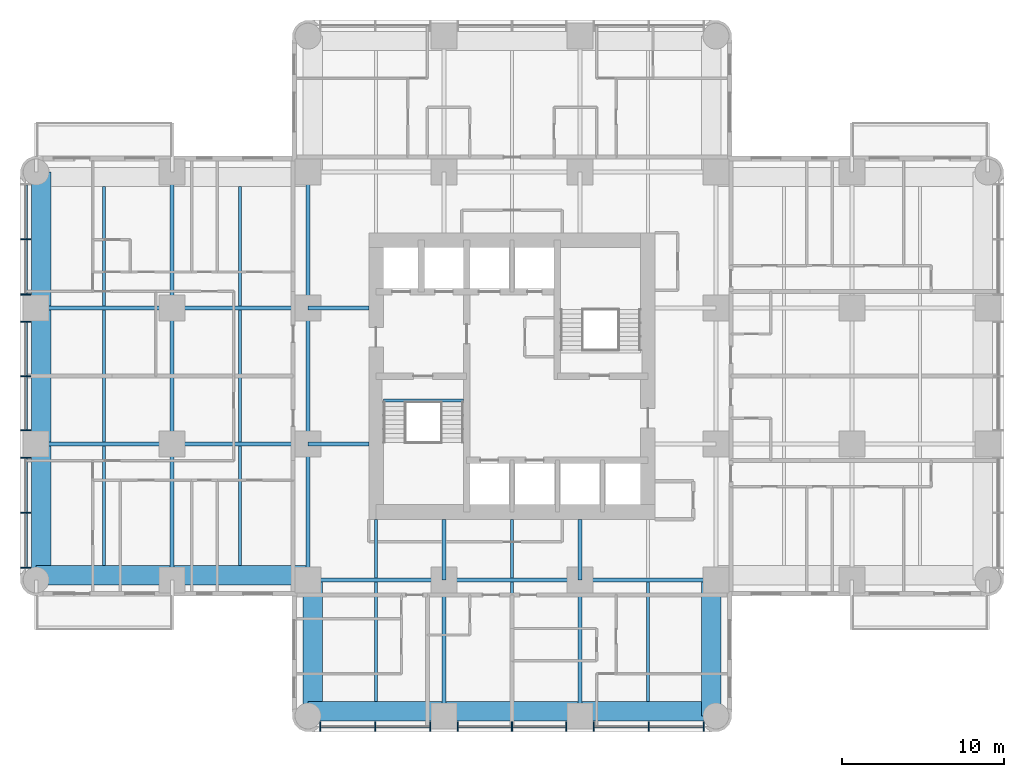
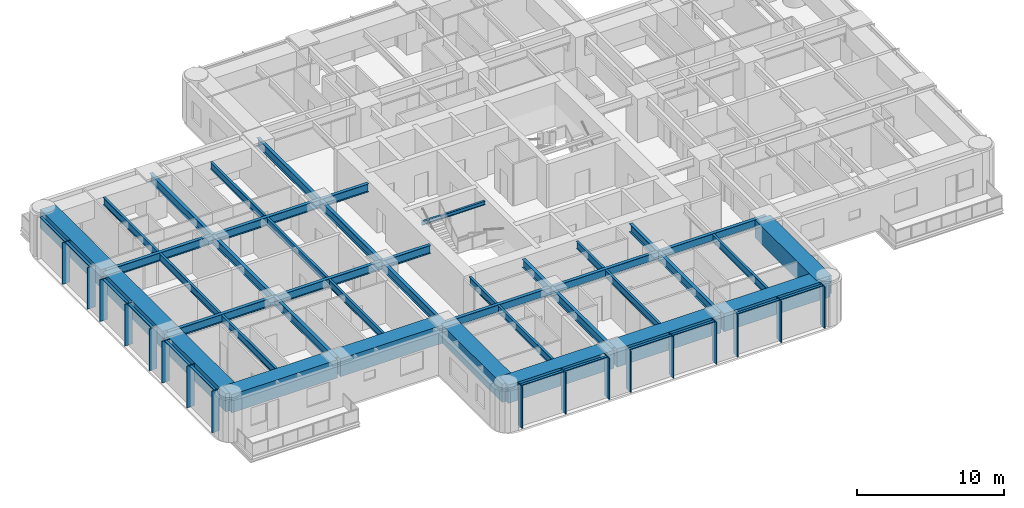
# One storey, part 2 of 14: 41 beams, 29 members, 2 elements without a shape of their own.
"""IFC4 building model written with IfcOpenShell, lengths in metres."""

from ifc_helpers import new_model, si_unit, direction, frame, origin, origin_2d, place, context, subcontext, project, spatial, rectangle, i_section, extrude, material, material_profile, profile_set, type_object, element, aggregate, save


model = new_model("IFC4")

# Units and contexts
model_context = context("Model", 3, precision=1e-05, world=origin(), true_north=direction((0.0, 1.0)))
body_context = subcontext(model_context, "Body", "Model", "MODEL_VIEW")
ifc_project = project(units=[si_unit("LENGTHUNIT", "METRE"), si_unit("AREAUNIT", "SQUARE_METRE"), si_unit("VOLUMEUNIT", "CUBIC_METRE"), si_unit("PLANEANGLEUNIT", "RADIAN"), si_unit("MASSUNIT", "GRAM", prefix="KILO")], contexts=[model_context])

# Site, building, storey
site_placement = place(None, origin())
site = spatial("IfcSite", under=ifc_project, at=site_placement, CompositionType="ELEMENT")
building_placement = place(site_placement, origin())
building = spatial("IfcBuilding", under=site, at=building_placement, Name="Torre Alcanfor", CompositionType="ELEMENT")
storey_placement = place(building_placement, frame((0.0, 0.0, 162.89990234375)))
storey = spatial("IfcBuildingStorey", under=building, at=storey_placement, Name="L42", CompositionType="ELEMENT", Elevation=162.89990234375)

# Curtain wall, members
ifc_material_1 = material(Name="Aluminium and glass", Category="aluminium")
curtain_wall_type = type_object("IfcCurtainWallType", Name="CW-A unitised apartment glazing with vertical FIN", PredefinedType="NOTDEFINED", material=ifc_material_1)
curtain_wall_1_placement = place(storey_placement, origin())
curtain_wall_1 = element("IfcCurtainWall", 1, at=curtain_wall_1_placement, inside=storey, type_object=curtain_wall_type, Name="Curtain wall CW-A L42 2", PredefinedType="NOTDEFINED")
ifc_material_2 = material(Name="Bronze anodised aluminium", Category="aluminium")
ifc_material_profile_1 = material_profile(ifc_material_2, rectangle(XDim=0.60009765625, YDim=0.06494140625, at=origin_2d()), Name="CW-A mullion 65x600")
ifc_profile_set_1 = profile_set([ifc_material_profile_1], Name="Bronze anodised aluminium")
member_type_1 = type_object("IfcMemberType", Name="CW-A mullion with vertical FIN 65x600", PredefinedType="MULLION", material=ifc_profile_set_1)
member_1_placement = place(storey_placement, frame((-0.64990234375, 37.840087890625, 0.0), z_axis=(0.0, 0.0, 1.0), x_axis=(1.0, 0.0, 0.0)))
member_1 = element("IfcMember", 2, at=member_1_placement, type_object=member_type_1, Name="CW-A mullion 1.2", PredefinedType="MULLION", context=body_context, shape_type="SweptSolid", body=[
    extrude(rectangle(XDim=0.60009765625, YDim=0.06494140625, at=origin_2d()), origin(), (0.0, 0.0, 1.0), 3.4501953125),
])
member_2_placement = place(storey_placement, frame((-0.64990234375, 34.4375, 0.0), z_axis=(0.0, 0.0, 1.0), x_axis=(1.0, 0.0, 0.0)))
member_2 = element("IfcMember", 3, at=member_2_placement, type_object=member_type_1, Name="CW-A mullion 1.3", PredefinedType="MULLION", context=body_context, shape_type="SweptSolid", body=[
    extrude(rectangle(XDim=0.60009765625, YDim=0.06494140625, at=origin_2d()), origin(), (0.0, 0.0, 1.0), 3.4501953125),
])
member_3_placement = place(storey_placement, frame((-0.64990234375, 32.762451171875, 0.0), z_axis=(0.0, 0.0, 1.0), x_axis=(1.0, 0.0, 0.0)))
member_3 = element("IfcMember", 4, at=member_3_placement, type_object=member_type_1, Name="CW-A mullion 2.1", PredefinedType="MULLION", context=body_context, shape_type="SweptSolid", body=[
    extrude(rectangle(XDim=0.60009765625, YDim=0.06494140625, at=origin_2d()), origin(), (0.0, 0.0, 1.0), 3.4501953125),
])
member_4_placement = place(storey_placement, frame((-0.64990234375, 29.39990234375, 0.0), z_axis=(0.0, 0.0, 1.0), x_axis=(1.0, 0.0, 0.0)))
member_4 = element("IfcMember", 5, at=member_4_placement, type_object=member_type_1, Name="CW-A mullion 2.2", PredefinedType="MULLION", context=body_context, shape_type="SweptSolid", body=[
    extrude(rectangle(XDim=0.60009765625, YDim=0.06494140625, at=origin_2d()), origin(), (0.0, 0.0, 1.0), 3.4501953125),
])
member_5_placement = place(storey_placement, frame((-0.64990234375, 26.03759765625, 0.0), z_axis=(0.0, 0.0, 1.0), x_axis=(1.0, 0.0, 0.0)))
member_5 = element("IfcMember", 6, at=member_5_placement, type_object=member_type_1, Name="CW-A mullion 2.3", PredefinedType="MULLION", context=body_context, shape_type="SweptSolid", body=[
    extrude(rectangle(XDim=0.60009765625, YDim=0.06494140625, at=origin_2d()), origin(), (0.0, 0.0, 1.0), 3.4501953125),
])
member_6_placement = place(storey_placement, frame((-0.64990234375, 24.362548828125, 0.0), z_axis=(0.0, 0.0, 1.0), x_axis=(1.0, 0.0, 0.0)))
member_6 = element("IfcMember", 7, at=member_6_placement, type_object=member_type_1, Name="CW-A mullion 3.1", PredefinedType="MULLION", context=body_context, shape_type="SweptSolid", body=[
    extrude(rectangle(XDim=0.60009765625, YDim=0.06494140625, at=origin_2d()), origin(), (0.0, 0.0, 1.0), 3.4501953125),
])
member_7_placement = place(storey_placement, frame((-0.64990234375, 20.9599609375, 0.0), z_axis=(0.0, 0.0, 1.0), x_axis=(1.0, 0.0, 0.0)))
member_7 = element("IfcMember", 8, at=member_7_placement, type_object=member_type_1, Name="CW-A mullion 3.2", PredefinedType="MULLION", context=body_context, shape_type="SweptSolid", body=[
    extrude(rectangle(XDim=0.60009765625, YDim=0.06494140625, at=origin_2d()), origin(), (0.0, 0.0, 1.0), 3.4501953125),
])
member_8_placement = place(storey_placement, frame((-0.64990234375, 17.557373046875, 0.0), z_axis=(0.0, 0.0, 1.0), x_axis=(1.0, 0.0, 0.0)))
member_8 = element("IfcMember", 9, at=member_8_placement, type_object=member_type_1, Name="CW-A mullion 3.3", PredefinedType="MULLION", context=body_context, shape_type="SweptSolid", body=[
    extrude(rectangle(XDim=0.60009765625, YDim=0.06494140625, at=origin_2d()), origin(), (0.0, 0.0, 1.0), 3.4501953125),
])

curtain_wall_2_placement = place(storey_placement, origin())
curtain_wall_2 = element("IfcCurtainWall", 10, at=curtain_wall_2_placement, inside=storey, type_object=curtain_wall_type, Name="Curtain wall CW-A L42 5", PredefinedType="NOTDEFINED")
member_9_placement = place(storey_placement, frame((17.557373046875, 7.75, 0.0), z_axis=(0.0, 0.0, 1.0), x_axis=(0.0, 1.0, 0.0)))
member_9 = element("IfcMember", 11, at=member_9_placement, type_object=member_type_1, Name="CW-A mullion 1.1", PredefinedType="MULLION", context=body_context, shape_type="SweptSolid", body=[
    extrude(rectangle(XDim=0.60009765625, YDim=0.06494140625, at=origin_2d()), origin(), (0.0, 0.0, 1.0), 3.4501953125),
])
member_10_placement = place(storey_placement, frame((20.9599609375, 7.75, 0.0), z_axis=(0.0, 0.0, 1.0), x_axis=(0.0, 1.0, 0.0)))
member_10 = element("IfcMember", 12, at=member_10_placement, type_object=member_type_1, Name="CW-A mullion 1.2", PredefinedType="MULLION", context=body_context, shape_type="SweptSolid", body=[
    extrude(rectangle(XDim=0.60009765625, YDim=0.06494140625, at=origin_2d()), origin(), (0.0, 0.0, 1.0), 3.4501953125),
])
member_11_placement = place(storey_placement, frame((24.362548828125, 7.75, 0.0), z_axis=(0.0, 0.0, 1.0), x_axis=(0.0, 1.0, 0.0)))
member_11 = element("IfcMember", 13, at=member_11_placement, type_object=member_type_1, Name="CW-A mullion 1.3", PredefinedType="MULLION", context=body_context, shape_type="SweptSolid", body=[
    extrude(rectangle(XDim=0.60009765625, YDim=0.06494140625, at=origin_2d()), origin(), (0.0, 0.0, 1.0), 3.4501953125),
])
member_12_placement = place(storey_placement, frame((26.03759765625, 7.75, 0.0), z_axis=(0.0, 0.0, 1.0), x_axis=(0.0, 1.0, 0.0)))
member_12 = element("IfcMember", 14, at=member_12_placement, type_object=member_type_1, Name="CW-A mullion 2.1", PredefinedType="MULLION", context=body_context, shape_type="SweptSolid", body=[
    extrude(rectangle(XDim=0.60009765625, YDim=0.06494140625, at=origin_2d()), origin(), (0.0, 0.0, 1.0), 3.4501953125),
])
member_13_placement = place(storey_placement, frame((29.39990234375, 7.75, 0.0), z_axis=(0.0, 0.0, 1.0), x_axis=(0.0, 1.0, 0.0)))
member_13 = element("IfcMember", 15, at=member_13_placement, type_object=member_type_1, Name="CW-A mullion 2.2", PredefinedType="MULLION", context=body_context, shape_type="SweptSolid", body=[
    extrude(rectangle(XDim=0.60009765625, YDim=0.06494140625, at=origin_2d()), origin(), (0.0, 0.0, 1.0), 3.4501953125),
])
member_14_placement = place(storey_placement, frame((32.762451171875, 7.75, 0.0), z_axis=(0.0, 0.0, 1.0), x_axis=(0.0, 1.0, 0.0)))
member_14 = element("IfcMember", 16, at=member_14_placement, type_object=member_type_1, Name="CW-A mullion 2.3", PredefinedType="MULLION", context=body_context, shape_type="SweptSolid", body=[
    extrude(rectangle(XDim=0.60009765625, YDim=0.06494140625, at=origin_2d()), origin(), (0.0, 0.0, 1.0), 3.4501953125),
])
member_15_placement = place(storey_placement, frame((34.4375, 7.75, 0.0), z_axis=(0.0, 0.0, 1.0), x_axis=(0.0, 1.0, 0.0)))
member_15 = element("IfcMember", 17, at=member_15_placement, type_object=member_type_1, Name="CW-A mullion 3.1", PredefinedType="MULLION", context=body_context, shape_type="SweptSolid", body=[
    extrude(rectangle(XDim=0.60009765625, YDim=0.06494140625, at=origin_2d()), origin(), (0.0, 0.0, 1.0), 3.4501953125),
])
member_16_placement = place(storey_placement, frame((37.840087890625, 7.75, 0.0), z_axis=(0.0, 0.0, 1.0), x_axis=(0.0, 1.0, 0.0)))
member_16 = element("IfcMember", 18, at=member_16_placement, type_object=member_type_1, Name="CW-A mullion 3.2", PredefinedType="MULLION", context=body_context, shape_type="SweptSolid", body=[
    extrude(rectangle(XDim=0.60009765625, YDim=0.06494140625, at=origin_2d()), origin(), (0.0, 0.0, 1.0), 3.4501953125),
])
member_17_placement = place(storey_placement, frame((41.24267578125, 7.75, 0.0), z_axis=(0.0, 0.0, 1.0), x_axis=(0.0, 1.0, 0.0)))
member_17 = element("IfcMember", 19, at=member_17_placement, type_object=member_type_1, Name="CW-A mullion 3.3", PredefinedType="MULLION", context=body_context, shape_type="SweptSolid", body=[
    extrude(rectangle(XDim=0.60009765625, YDim=0.06494140625, at=origin_2d()), origin(), (0.0, 0.0, 1.0), 3.4501953125),
])

# Member
ifc_material_3 = material(Name="Extruded aluminium", Category="aluminium")
ifc_material_profile_2 = material_profile(ifc_material_3, rectangle(XDim=0.199951171875, YDim=0.06494140625, at=origin_2d()), Name="CW-A transom 200x65")
ifc_profile_set_2 = profile_set([ifc_material_profile_2], Name="Extruded aluminium")
member_type_2 = type_object("IfcMemberType", Name="CW-A transom 65x200", PredefinedType="USERDEFINED", material=ifc_profile_set_2)
member_18_placement = place(storey_placement, frame((-0.64990234375, 41.210205078125, 3.41748046875), z_axis=(0.0, -1.0, 0.0), x_axis=(1.0, 0.0, 0.0)))
member_18 = element("IfcMember", 20, at=member_18_placement, type_object=member_type_2, Name="CW-A transom 1.1.2", ObjectType="TRANSOM", PredefinedType="USERDEFINED", context=body_context, shape_type="SweptSolid", body=[
    extrude(rectangle(XDim=0.199951171875, YDim=0.06494140625, at=origin_2d()), origin(), (0.0, 0.0, 1.0), 3.337646484375),
])

member_19_placement = place(storey_placement, frame((-0.64990234375, 37.8076171875, 3.41748046875), z_axis=(0.0, -1.0, 0.0), x_axis=(1.0, 0.0, 0.0)))
member_19 = element("IfcMember", 21, at=member_19_placement, type_object=member_type_2, Name="CW-A transom 1.2.2", ObjectType="TRANSOM", PredefinedType="USERDEFINED", context=body_context, shape_type="SweptSolid", body=[
    extrude(rectangle(XDim=0.199951171875, YDim=0.06494140625, at=origin_2d()), origin(), (0.0, 0.0, 1.0), 3.337646484375),
])

member_20_placement = place(storey_placement, frame((-0.64990234375, 32.72998046875, 3.41748046875), z_axis=(0.0, -1.0, 0.0), x_axis=(1.0, 0.0, 0.0)))
member_20 = element("IfcMember", 22, at=member_20_placement, type_object=member_type_2, Name="CW-A transom 2.1.2", ObjectType="TRANSOM", PredefinedType="USERDEFINED", context=body_context, shape_type="SweptSolid", body=[
    extrude(rectangle(XDim=0.199951171875, YDim=0.06494140625, at=origin_2d()), origin(), (0.0, 0.0, 1.0), 3.29736328125),
])

member_21_placement = place(storey_placement, frame((-0.64990234375, 29.367431640625, 3.41748046875), z_axis=(0.0, -1.0, 0.0), x_axis=(1.0, 0.0, 0.0)))
member_21 = element("IfcMember", 23, at=member_21_placement, type_object=member_type_2, Name="CW-A transom 2.2.2", ObjectType="TRANSOM", PredefinedType="USERDEFINED", context=body_context, shape_type="SweptSolid", body=[
    extrude(rectangle(XDim=0.199951171875, YDim=0.06494140625, at=origin_2d()), origin(), (0.0, 0.0, 1.0), 3.29736328125),
])

member_22_placement = place(storey_placement, frame((-0.64990234375, 24.330078125, 3.41748046875), z_axis=(0.0, -1.0, 0.0), x_axis=(1.0, 0.0, 0.0)))
member_22 = element("IfcMember", 24, at=member_22_placement, type_object=member_type_2, Name="CW-A transom 3.1.2", ObjectType="TRANSOM", PredefinedType="USERDEFINED", context=body_context, shape_type="SweptSolid", body=[
    extrude(rectangle(XDim=0.199951171875, YDim=0.06494140625, at=origin_2d()), origin(), (0.0, 0.0, 1.0), 3.337646484375),
])

member_23_placement = place(storey_placement, frame((-0.64990234375, 20.927490234375, 3.41748046875), z_axis=(0.0, -1.0, 0.0), x_axis=(1.0, 0.0, 0.0)))
member_23 = element("IfcMember", 25, at=member_23_placement, type_object=member_type_2, Name="CW-A transom 3.2.2", ObjectType="TRANSOM", PredefinedType="USERDEFINED", context=body_context, shape_type="SweptSolid", body=[
    extrude(rectangle(XDim=0.199951171875, YDim=0.06494140625, at=origin_2d()), origin(), (0.0, 0.0, 1.0), 3.337646484375),
])

aggregate(curtain_wall_1, [member_1, member_2, member_18, member_19, member_3, member_4, member_5, member_20, member_21, member_6, member_7, member_8, member_22, member_23])

member_24_placement = place(storey_placement, frame((17.58984375, 7.75, 3.41748046875), z_axis=(1.0, 0.0, 0.0), x_axis=(0.0, 1.0, 0.0)))
member_24 = element("IfcMember", 26, at=member_24_placement, type_object=member_type_2, Name="CW-A transom 1.1.2", ObjectType="TRANSOM", PredefinedType="USERDEFINED", context=body_context, shape_type="SweptSolid", body=[
    extrude(rectangle(XDim=0.199951171875, YDim=0.06494140625, at=origin_2d()), origin(), (0.0, 0.0, 1.0), 3.337646484375),
])

member_25_placement = place(storey_placement, frame((20.992431640625, 7.75, 3.41748046875), z_axis=(1.0, 0.0, 0.0), x_axis=(0.0, 1.0, 0.0)))
member_25 = element("IfcMember", 27, at=member_25_placement, type_object=member_type_2, Name="CW-A transom 1.2.2", ObjectType="TRANSOM", PredefinedType="USERDEFINED", context=body_context, shape_type="SweptSolid", body=[
    extrude(rectangle(XDim=0.199951171875, YDim=0.06494140625, at=origin_2d()), origin(), (0.0, 0.0, 1.0), 3.337646484375),
])

member_26_placement = place(storey_placement, frame((26.070068359375, 7.75, 3.41748046875), z_axis=(1.0, 0.0, 0.0), x_axis=(0.0, 1.0, 0.0)))
member_26 = element("IfcMember", 28, at=member_26_placement, type_object=member_type_2, Name="CW-A transom 2.1.2", ObjectType="TRANSOM", PredefinedType="USERDEFINED", context=body_context, shape_type="SweptSolid", body=[
    extrude(rectangle(XDim=0.199951171875, YDim=0.06494140625, at=origin_2d()), origin(), (0.0, 0.0, 1.0), 3.29736328125),
])

member_27_placement = place(storey_placement, frame((29.4326171875, 7.75, 3.41748046875), z_axis=(1.0, 0.0, 0.0), x_axis=(0.0, 1.0, 0.0)))
member_27 = element("IfcMember", 29, at=member_27_placement, type_object=member_type_2, Name="CW-A transom 2.2.2", ObjectType="TRANSOM", PredefinedType="USERDEFINED", context=body_context, shape_type="SweptSolid", body=[
    extrude(rectangle(XDim=0.199951171875, YDim=0.06494140625, at=origin_2d()), origin(), (0.0, 0.0, 1.0), 3.29736328125),
])

member_28_placement = place(storey_placement, frame((34.469970703125, 7.75, 3.41748046875), z_axis=(1.0, 0.0, 0.0), x_axis=(0.0, 1.0, 0.0)))
member_28 = element("IfcMember", 30, at=member_28_placement, type_object=member_type_2, Name="CW-A transom 3.1.2", ObjectType="TRANSOM", PredefinedType="USERDEFINED", context=body_context, shape_type="SweptSolid", body=[
    extrude(rectangle(XDim=0.199951171875, YDim=0.06494140625, at=origin_2d()), origin(), (0.0, 0.0, 1.0), 3.337646484375),
])

member_29_placement = place(storey_placement, frame((37.87255859375, 7.75, 3.41748046875), z_axis=(1.0, 0.0, 0.0), x_axis=(0.0, 1.0, 0.0)))
member_29 = element("IfcMember", 31, at=member_29_placement, type_object=member_type_2, Name="CW-A transom 3.2.2", ObjectType="TRANSOM", PredefinedType="USERDEFINED", context=body_context, shape_type="SweptSolid", body=[
    extrude(rectangle(XDim=0.199951171875, YDim=0.06494140625, at=origin_2d()), origin(), (0.0, 0.0, 1.0), 3.337646484375),
])

aggregate(curtain_wall_2, [member_9, member_10, member_11, member_24, member_25, member_12, member_13, member_14, member_26, member_27, member_15, member_16, member_17, member_28, member_29])

# Beams
ifc_material_4 = material(Name="Steel ASTM A992 Grade 50", Category="steel")
ifc_material_profile_3 = material_profile(ifc_material_4, i_section(OverallWidth=0.25390625, OverallDepth=0.683349609375, WebThickness=0.012451171875, FlangeThickness=0.01904296875, at=origin_2d()), Name="W27x94")
ifc_profile_set_3 = profile_set([ifc_material_profile_3], Name="Steel ASTM A992 Grade 50")
beam_type_1 = type_object("IfcBeamType", Name="Girder W27x94", PredefinedType="BEAM", material=ifc_profile_set_3)
beam_1_placement = place(storey_placement, frame((16.800048828125, 16.800048828125, 3.1083984375), z_axis=(1.0, 0.0, 0.0), x_axis=(0.0, 1.0, 0.0)))
element("IfcBeam", 32, at=beam_1_placement, inside=storey, type_object=beam_type_1, Name="Beam 3E-4E under L43", PredefinedType="BEAM", context=body_context, shape_type="SweptSolid", body=[
    extrude(i_section(OverallWidth=0.25390625, OverallDepth=0.683349609375, WebThickness=0.012451171875, FlangeThickness=0.01904296875, at=origin_2d()), origin(), (0.0, 0.0, 1.0), 8.39990234375),
])
beam_2_placement = place(storey_placement, frame((25.199951171875, 16.800048828125, 3.1083984375), z_axis=(1.0, 0.0, 0.0), x_axis=(0.0, 1.0, 0.0)))
element("IfcBeam", 33, at=beam_2_placement, inside=storey, type_object=beam_type_1, Name="Beam 4E-5E under L43", PredefinedType="BEAM", context=body_context, shape_type="SweptSolid", body=[
    extrude(i_section(OverallWidth=0.25390625, OverallDepth=0.683349609375, WebThickness=0.012451171875, FlangeThickness=0.01904296875, at=origin_2d()), origin(), (0.0, 0.0, 1.0), 8.400146484375),
])
for number, where, z_axis, x_axis, name in (
    (34, (33.60009765625, 16.800048828125, 3.1083984375), (1.0, 0.0, 0.0), (0.0, 1.0, 0.0), "Beam 5E-6E under L43"),
    (35, (0.0, 25.199951171875, 3.1083984375), (1.0, 0.0, 0.0), (0.0, 1.0, 0.0), "Beam 1F-2F under L43"),
):
    element("IfcBeam", number, at=place(storey_placement, frame(where, z_axis=z_axis, x_axis=x_axis)), inside=storey, type_object=beam_type_1, Name=name, PredefinedType="BEAM", context=body_context, shape_type="SweptSolid", body=[
        extrude(i_section(OverallWidth=0.25390625, OverallDepth=0.683349609375, WebThickness=0.012451171875, FlangeThickness=0.01904296875, at=origin_2d()), origin(), (0.0, 0.0, 1.0), 8.39990234375),
    ])
beam_3_placement = place(storey_placement, frame((8.39990234375, 25.199951171875, 3.1083984375), z_axis=(1.0, 0.0, 0.0), x_axis=(0.0, 1.0, 0.0)))
element("IfcBeam", 36, at=beam_3_placement, inside=storey, type_object=beam_type_1, Name="Beam 2F-3F under L43", PredefinedType="BEAM", context=body_context, shape_type="SweptSolid", body=[
    extrude(i_section(OverallWidth=0.25390625, OverallDepth=0.683349609375, WebThickness=0.012451171875, FlangeThickness=0.01904296875, at=origin_2d()), origin(), (0.0, 0.0, 1.0), 8.400146484375),
])
beam_4_placement = place(storey_placement, frame((0.0, 33.60009765625, 3.1083984375), z_axis=(1.0, 0.0, 0.0), x_axis=(0.0, 1.0, 0.0)))
element("IfcBeam", 37, at=beam_4_placement, inside=storey, type_object=beam_type_1, Name="Beam 1G-2G under L43", PredefinedType="BEAM", context=body_context, shape_type="SweptSolid", body=[
    extrude(i_section(OverallWidth=0.25390625, OverallDepth=0.683349609375, WebThickness=0.012451171875, FlangeThickness=0.01904296875, at=origin_2d()), origin(), (0.0, 0.0, 1.0), 8.39990234375),
])
beam_5_placement = place(storey_placement, frame((8.39990234375, 33.60009765625, 3.1083984375), z_axis=(1.0, 0.0, 0.0), x_axis=(0.0, 1.0, 0.0)))
element("IfcBeam", 38, at=beam_5_placement, inside=storey, type_object=beam_type_1, Name="Beam 2G-3G under L43", PredefinedType="BEAM", context=body_context, shape_type="SweptSolid", body=[
    extrude(i_section(OverallWidth=0.25390625, OverallDepth=0.683349609375, WebThickness=0.012451171875, FlangeThickness=0.01904296875, at=origin_2d()), origin(), (0.0, 0.0, 1.0), 8.400146484375),
])
beam_6_placement = place(storey_placement, frame((8.39990234375, 16.800048828125, 3.1083984375), z_axis=(0.0, 1.0, 0.0), x_axis=(-1.0, 0.0, 0.0)))
element("IfcBeam", 39, at=beam_6_placement, inside=storey, type_object=beam_type_1, Name="Beam 2E-2F under L43", PredefinedType="BEAM", context=body_context, shape_type="SweptSolid", body=[
    extrude(i_section(OverallWidth=0.25390625, OverallDepth=0.683349609375, WebThickness=0.012451171875, FlangeThickness=0.01904296875, at=origin_2d()), origin(), (0.0, 0.0, 1.0), 8.39990234375),
])
beam_7_placement = place(storey_placement, frame((8.39990234375, 25.199951171875, 3.1083984375), z_axis=(0.0, 1.0, 0.0), x_axis=(-1.0, 0.0, 0.0)))
element("IfcBeam", 40, at=beam_7_placement, inside=storey, type_object=beam_type_1, Name="Beam 2F-2G under L43", PredefinedType="BEAM", context=body_context, shape_type="SweptSolid", body=[
    extrude(i_section(OverallWidth=0.25390625, OverallDepth=0.683349609375, WebThickness=0.012451171875, FlangeThickness=0.01904296875, at=origin_2d()), origin(), (0.0, 0.0, 1.0), 8.400146484375),
])
for number, where, z_axis, x_axis, name in (
    (41, (8.39990234375, 33.60009765625, 3.1083984375), (0.0, 1.0, 0.0), (-1.0, 0.0, 0.0), "Beam 2G-2H under L43"),
    (42, (16.800048828125, 16.800048828125, 3.1083984375), (0.0, 1.0, 0.0), (-1.0, 0.0, 0.0), "Beam 3E-3F under L43"),
):
    element("IfcBeam", number, at=place(storey_placement, frame(where, z_axis=z_axis, x_axis=x_axis)), inside=storey, type_object=beam_type_1, Name=name, PredefinedType="BEAM", context=body_context, shape_type="SweptSolid", body=[
        extrude(i_section(OverallWidth=0.25390625, OverallDepth=0.683349609375, WebThickness=0.012451171875, FlangeThickness=0.01904296875, at=origin_2d()), origin(), (0.0, 0.0, 1.0), 8.39990234375),
    ])
beam_8_placement = place(storey_placement, frame((16.800048828125, 25.199951171875, 3.1083984375), z_axis=(0.0, 1.0, 0.0), x_axis=(-1.0, 0.0, 0.0)))
element("IfcBeam", 43, at=beam_8_placement, inside=storey, type_object=beam_type_1, Name="Beam 3F-3G under L43", PredefinedType="BEAM", context=body_context, shape_type="SweptSolid", body=[
    extrude(i_section(OverallWidth=0.25390625, OverallDepth=0.683349609375, WebThickness=0.012451171875, FlangeThickness=0.01904296875, at=origin_2d()), origin(), (0.0, 0.0, 1.0), 8.400146484375),
])
beam_9_placement = place(storey_placement, frame((16.800048828125, 33.60009765625, 3.1083984375), z_axis=(0.0, 1.0, 0.0), x_axis=(-1.0, 0.0, 0.0)))
element("IfcBeam", 44, at=beam_9_placement, inside=storey, type_object=beam_type_1, Name="Beam 3G-3H under L43", PredefinedType="BEAM", context=body_context, shape_type="SweptSolid", body=[
    extrude(i_section(OverallWidth=0.25390625, OverallDepth=0.683349609375, WebThickness=0.012451171875, FlangeThickness=0.01904296875, at=origin_2d()), origin(), (0.0, 0.0, 1.0), 8.39990234375),
])
for number, where, z_axis, x_axis, name in (
    (45, (25.199951171875, 8.39990234375, 3.1083984375), (0.0, 1.0, 0.0), (-1.0, 0.0, 0.0), "Beam 4D-4E under L43"),
    (46, (33.60009765625, 8.39990234375, 3.1083984375), (0.0, 1.0, 0.0), (-1.0, 0.0, 0.0), "Beam 5D-5E under L43"),
):
    element("IfcBeam", number, at=place(storey_placement, frame(where, z_axis=z_axis, x_axis=x_axis)), inside=storey, type_object=beam_type_1, Name=name, PredefinedType="BEAM", context=body_context, shape_type="SweptSolid", body=[
        extrude(i_section(OverallWidth=0.25390625, OverallDepth=0.683349609375, WebThickness=0.012451171875, FlangeThickness=0.01904296875, at=origin_2d()), origin(), (0.0, 0.0, 1.0), 8.400146484375),
    ])
ifc_material_5 = material(Name="Steel ASTM A992 Grade 50", Category="steel")
ifc_material_profile_4 = material_profile(ifc_material_5, i_section(OverallWidth=0.25390625, OverallDepth=0.683349609375, WebThickness=0.012451171875, FlangeThickness=0.01904296875, at=origin_2d()), Name="W27x94")
ifc_profile_set_4 = profile_set([ifc_material_profile_4], Name="Steel ASTM A992 Grade 50")
beam_type_2 = type_object("IfcBeamType", Name="Girder, part bay W27x94", PredefinedType="BEAM", material=ifc_profile_set_4)
for number, where, z_axis, x_axis, name in (
    (47, (25.199951171875, 16.800048828125, 3.1083984375), (0.0, 1.0, 0.0), (-1.0, 0.0, 0.0), "Beam 4E-420_55 under L43"),
    (48, (33.60009765625, 16.800048828125, 3.1083984375), (0.0, 1.0, 0.0), (-1.0, 0.0, 0.0), "Beam 5E-520_55 under L43"),
    (49, (16.800048828125, 25.199951171875, 3.1083984375), (1.0, 0.0, 0.0), (0.0, 1.0, 0.0), "Beam 3F-20_55F under L43"),
    (50, (16.800048828125, 33.60009765625, 3.1083984375), (1.0, 0.0, 0.0), (0.0, 1.0, 0.0), "Beam 3G-20_55G under L43"),
):
    element("IfcBeam", number, at=place(storey_placement, frame(where, z_axis=z_axis, x_axis=x_axis)), inside=storey, type_object=beam_type_2, Name=name, PredefinedType="BEAM", context=body_context, shape_type="SweptSolid", body=[
        extrude(i_section(OverallWidth=0.25390625, OverallDepth=0.683349609375, WebThickness=0.012451171875, FlangeThickness=0.01904296875, at=origin_2d()), origin(), (0.0, 0.0, 1.0), 3.75),
    ])
ifc_material_6 = material(Name="Concrete f'c 70 MPa", Category="concrete")
ifc_material_profile_5 = material_profile(ifc_material_6, rectangle(XDim=1.199951171875, YDim=1.5, at=origin_2d()), Name="1200x1500")
ifc_profile_set_5 = profile_set([ifc_material_profile_5], Name="Concrete f'c 70 MPa")
beam_type_3 = type_object("IfcBeamType", Name="RC perimeter beam 1200x1500", PredefinedType="BEAM", material=ifc_profile_set_5)
beam_10_placement = place(storey_placement, frame((16.800048828125, 8.699951171875, 2.7001953125), z_axis=(1.0, 0.0, 0.0), x_axis=(0.0, 1.0, 0.0)))
element("IfcBeam", 51, at=beam_10_placement, inside=storey, type_object=beam_type_3, Name="Beam 3D-4D under L43", PredefinedType="BEAM", context=body_context, shape_type="SweptSolid", body=[
    extrude(rectangle(XDim=1.199951171875, YDim=1.5, at=origin_2d()), origin(), (0.0, 0.0, 1.0), 8.27294921875),
])
beam_11_placement = place(storey_placement, frame((25.326904296875, 8.699951171875, 2.7001953125), z_axis=(1.0, 0.0, 0.0), x_axis=(0.0, 1.0, 0.0)))
element("IfcBeam", 52, at=beam_11_placement, inside=storey, type_object=beam_type_3, Name="Beam 4D-5D under L43", PredefinedType="BEAM", context=body_context, shape_type="SweptSolid", body=[
    extrude(rectangle(XDim=1.199951171875, YDim=1.5, at=origin_2d()), origin(), (0.0, 0.0, 1.0), 8.14599609375),
])
for number, where, z_axis, x_axis, name in (
    (53, (33.72705078125, 8.699951171875, 2.7001953125), (1.0, 0.0, 0.0), (0.0, 1.0, 0.0), "Beam 5D-6D under L43"),
    (54, (0.0, 17.10009765625, 2.7001953125), (1.0, 0.0, 0.0), (0.0, 1.0, 0.0), "Beam 1E-2E under L43"),
):
    element("IfcBeam", number, at=place(storey_placement, frame(where, z_axis=z_axis, x_axis=x_axis)), inside=storey, type_object=beam_type_3, Name=name, PredefinedType="BEAM", context=body_context, shape_type="SweptSolid", body=[
        extrude(rectangle(XDim=1.199951171875, YDim=1.5, at=origin_2d()), origin(), (0.0, 0.0, 1.0), 8.27294921875),
    ])
beam_12_placement = place(storey_placement, frame((8.527099609375, 17.10009765625, 2.7001953125), z_axis=(1.0, 0.0, 0.0), x_axis=(0.0, 1.0, 0.0)))
element("IfcBeam", 55, at=beam_12_placement, inside=storey, type_object=beam_type_3, Name="Beam 2E-3E under L43", PredefinedType="BEAM", context=body_context, shape_type="SweptSolid", body=[
    extrude(rectangle(XDim=1.199951171875, YDim=1.5, at=origin_2d()), origin(), (0.0, 0.0, 1.0), 8.39990234375),
])
beam_13_placement = place(storey_placement, frame((0.300048828125, 16.800048828125, 2.7001953125), z_axis=(0.0, 1.0, 0.0), x_axis=(-1.0, 0.0, 0.0)))
element("IfcBeam", 56, at=beam_13_placement, inside=storey, type_object=beam_type_3, Name="Beam 1E-1F under L43", PredefinedType="BEAM", context=body_context, shape_type="SweptSolid", body=[
    extrude(rectangle(XDim=1.199951171875, YDim=1.5, at=origin_2d()), origin(), (0.0, 0.0, 1.0), 8.27294921875),
])
beam_14_placement = place(storey_placement, frame((0.300048828125, 25.326904296875, 2.7001953125), z_axis=(0.0, 1.0, 0.0), x_axis=(-1.0, 0.0, 0.0)))
element("IfcBeam", 57, at=beam_14_placement, inside=storey, type_object=beam_type_3, Name="Beam 1F-1G under L43", PredefinedType="BEAM", context=body_context, shape_type="SweptSolid", body=[
    extrude(rectangle(XDim=1.199951171875, YDim=1.5, at=origin_2d()), origin(), (0.0, 0.0, 1.0), 8.14599609375),
])
beam_15_placement = place(storey_placement, frame((0.300048828125, 33.72705078125, 2.7001953125), z_axis=(0.0, 1.0, 0.0), x_axis=(-1.0, 0.0, 0.0)))
element("IfcBeam", 58, at=beam_15_placement, inside=storey, type_object=beam_type_3, Name="Beam 1G-1H under L43", PredefinedType="BEAM", context=body_context, shape_type="SweptSolid", body=[
    extrude(rectangle(XDim=1.199951171875, YDim=1.5, at=origin_2d()), origin(), (0.0, 0.0, 1.0), 8.27294921875),
])
for number, where, z_axis, x_axis, name in (
    (59, (17.10009765625, 8.39990234375, 2.7001953125), (0.0, 1.0, 0.0), (-1.0, 0.0, 0.0), "Beam 3D-3E under L43"),
    (60, (41.699951171875, 8.39990234375, 2.7001953125), (0.0, 1.0, 0.0), (-1.0, 0.0, 0.0), "Beam 6D-6E under L43"),
):
    element("IfcBeam", number, at=place(storey_placement, frame(where, z_axis=z_axis, x_axis=x_axis)), inside=storey, type_object=beam_type_3, Name=name, PredefinedType="BEAM", context=body_context, shape_type="SweptSolid", body=[
        extrude(rectangle(XDim=1.199951171875, YDim=1.5, at=origin_2d()), origin(), (0.0, 0.0, 1.0), 8.273193359375),
    ])
ifc_material_7 = material(Name="Steel ASTM A992 Grade 50", Category="steel")
ifc_material_profile_6 = material_profile(ifc_material_7, i_section(OverallWidth=0.1787109375, OverallDepth=0.60205078125, WebThickness=0.010986328125, FlangeThickness=0.014892578125, at=origin_2d()), Name="W24x62")
ifc_profile_set_6 = profile_set([ifc_material_profile_6], Name="Steel ASTM A992 Grade 50")
beam_type_4 = type_object("IfcBeamType", Name="Secondary beam W24x62", PredefinedType="BEAM", material=ifc_profile_set_6)
beam_16_placement = place(storey_placement, frame((4.199951171875, 17.699951171875, 3.149169921875), z_axis=(0.0, 1.0, 0.0), x_axis=(-1.0, 0.0, 0.0)))
element("IfcBeam", 61, at=beam_16_placement, inside=storey, type_object=beam_type_4, Name="Beam 4_2E-4_2F under L43", PredefinedType="BEAM", context=body_context, shape_type="SweptSolid", body=[
    extrude(i_section(OverallWidth=0.1787109375, OverallDepth=0.60205078125, WebThickness=0.010986328125, FlangeThickness=0.014892578125, at=origin_2d()), origin(), (0.0, 0.0, 1.0), 7.373046875),
])
beam_17_placement = place(storey_placement, frame((4.199951171875, 25.326904296875, 3.149169921875), z_axis=(0.0, 1.0, 0.0), x_axis=(-1.0, 0.0, 0.0)))
element("IfcBeam", 62, at=beam_17_placement, inside=storey, type_object=beam_type_4, Name="Beam 4_2F-4_2G under L43", PredefinedType="BEAM", context=body_context, shape_type="SweptSolid", body=[
    extrude(i_section(OverallWidth=0.1787109375, OverallDepth=0.60205078125, WebThickness=0.010986328125, FlangeThickness=0.014892578125, at=origin_2d()), origin(), (0.0, 0.0, 1.0), 8.14599609375),
])
for number, where, z_axis, x_axis, name in (
    (63, (4.199951171875, 33.72705078125, 3.149169921875), (0.0, 1.0, 0.0), (-1.0, 0.0, 0.0), "Beam 4_2G-4_2H under L43"),
    (64, (12.60009765625, 17.699951171875, 3.149169921875), (0.0, 1.0, 0.0), (-1.0, 0.0, 0.0), "Beam 12_6E-12_6F under L43"),
):
    element("IfcBeam", number, at=place(storey_placement, frame(where, z_axis=z_axis, x_axis=x_axis)), inside=storey, type_object=beam_type_4, Name=name, PredefinedType="BEAM", context=body_context, shape_type="SweptSolid", body=[
        extrude(i_section(OverallWidth=0.1787109375, OverallDepth=0.60205078125, WebThickness=0.010986328125, FlangeThickness=0.014892578125, at=origin_2d()), origin(), (0.0, 0.0, 1.0), 7.373046875),
    ])
beam_18_placement = place(storey_placement, frame((12.60009765625, 25.326904296875, 3.149169921875), z_axis=(0.0, 1.0, 0.0), x_axis=(-1.0, 0.0, 0.0)))
element("IfcBeam", 65, at=beam_18_placement, inside=storey, type_object=beam_type_4, Name="Beam 12_6F-12_6G under L43", PredefinedType="BEAM", context=body_context, shape_type="SweptSolid", body=[
    extrude(i_section(OverallWidth=0.1787109375, OverallDepth=0.60205078125, WebThickness=0.010986328125, FlangeThickness=0.014892578125, at=origin_2d()), origin(), (0.0, 0.0, 1.0), 8.14599609375),
])
for number, where, z_axis, x_axis, name in (
    (66, (12.60009765625, 33.72705078125, 3.149169921875), (0.0, 1.0, 0.0), (-1.0, 0.0, 0.0), "Beam 12_6G-12_6H under L43"),
    (67, (21.0, 9.300048828125, 3.149169921875), (0.0, 1.0, 0.0), (-1.0, 0.0, 0.0), "Beam 21D-21E under L43"),
    (68, (29.39990234375, 9.300048828125, 3.149169921875), (0.0, 1.0, 0.0), (-1.0, 0.0, 0.0), "Beam 29_4D-29_4E under L43"),
    (69, (37.800048828125, 9.300048828125, 3.149169921875), (0.0, 1.0, 0.0), (-1.0, 0.0, 0.0), "Beam 37_8D-37_8E under L43"),
):
    element("IfcBeam", number, at=place(storey_placement, frame(where, z_axis=z_axis, x_axis=x_axis)), inside=storey, type_object=beam_type_4, Name=name, PredefinedType="BEAM", context=body_context, shape_type="SweptSolid", body=[
        extrude(i_section(OverallWidth=0.1787109375, OverallDepth=0.60205078125, WebThickness=0.010986328125, FlangeThickness=0.014892578125, at=origin_2d()), origin(), (0.0, 0.0, 1.0), 7.373046875),
    ])
ifc_material_8 = material(Name="Steel ASTM A992 Grade 50", Category="steel")
ifc_material_profile_7 = material_profile(ifc_material_8, i_section(OverallWidth=0.1787109375, OverallDepth=0.60205078125, WebThickness=0.010986328125, FlangeThickness=0.014892578125, at=origin_2d()), Name="W24x62")
ifc_profile_set_7 = profile_set([ifc_material_profile_7], Name="Steel ASTM A992 Grade 50")
beam_type_5 = type_object("IfcBeamType", Name="Secondary beam, part bay W24x62", PredefinedType="BEAM", material=ifc_profile_set_7)
for number, where, z_axis, x_axis, name in (
    (70, (21.0, 16.927001953125, 3.149169921875), (0.0, 1.0, 0.0), (-1.0, 0.0, 0.0), "Beam 21E-2120_55 under L43"),
    (71, (29.39990234375, 16.927001953125, 3.149169921875), (0.0, 1.0, 0.0), (-1.0, 0.0, 0.0), "Beam 29_4E-29_420_55 under L43"),
):
    element("IfcBeam", number, at=place(storey_placement, frame(where, z_axis=z_axis, x_axis=x_axis)), inside=storey, type_object=beam_type_5, Name=name, PredefinedType="BEAM", context=body_context, shape_type="SweptSolid", body=[
        extrude(i_section(OverallWidth=0.1787109375, OverallDepth=0.60205078125, WebThickness=0.010986328125, FlangeThickness=0.014892578125, at=origin_2d()), origin(), (0.0, 0.0, 1.0), 3.623046875),
    ])
ifc_material_9 = material(Name="Steel ASTM A992 Grade 50", Category="steel")
ifc_material_profile_8 = material_profile(ifc_material_9, i_section(OverallWidth=0.164794921875, OverallDepth=0.309814453125, WebThickness=0.005859375, FlangeThickness=0.009765625, at=origin_2d()), Name="W12x26")
ifc_profile_set_8 = profile_set([ifc_material_profile_8], Name="Steel ASTM A992 Grade 50")
beam_type_6 = type_object("IfcBeamType", Name="Stair landing beam W12x26", PredefinedType="BEAM", material=ifc_profile_set_8)
beam_19_placement = place(storey_placement, frame((21.449951171875, 27.887451171875, 3.2451171875), z_axis=(1.0, 0.0, 0.0), x_axis=(0.0, 1.0, 0.0)))
element("IfcBeam", 72, at=beam_19_placement, inside=storey, type_object=beam_type_6, Name="Landing trimmer S1 L43", PredefinedType="BEAM", context=body_context, shape_type="SweptSolid", body=[
    extrude(i_section(OverallWidth=0.164794921875, OverallDepth=0.309814453125, WebThickness=0.005859375, FlangeThickness=0.009765625, at=origin_2d()), origin(), (0.0, 0.0, 1.0), 4.949951171875),
])

save(model, "model.ifc")
